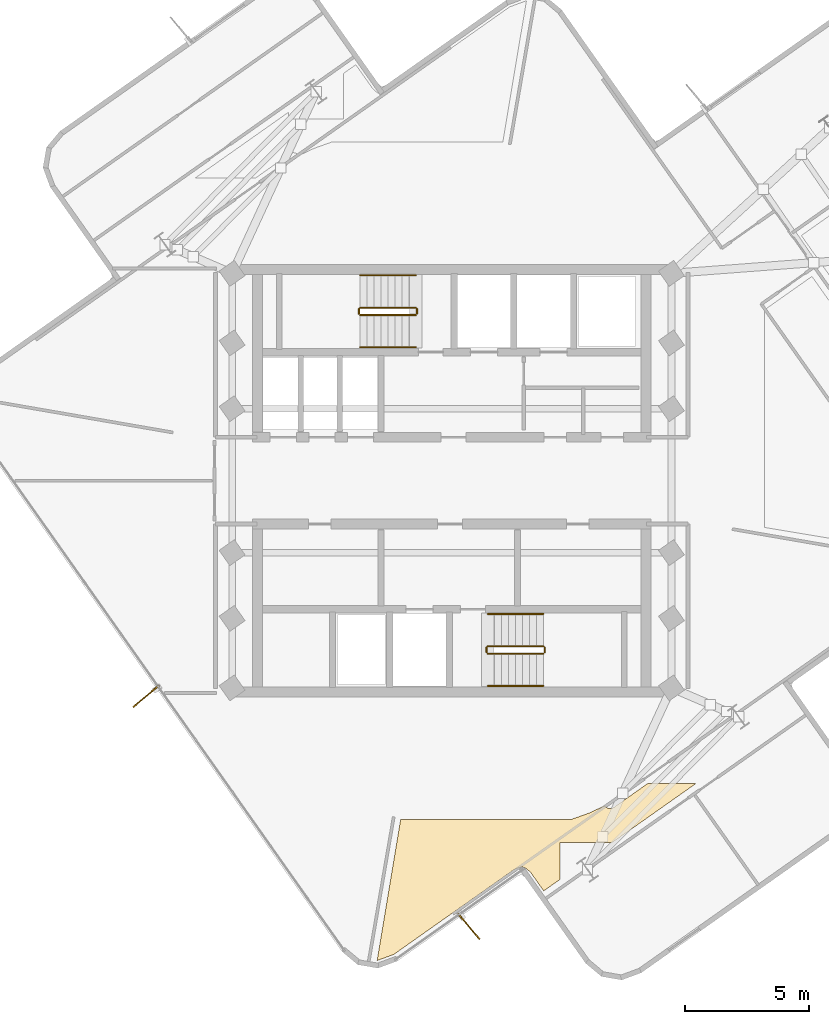
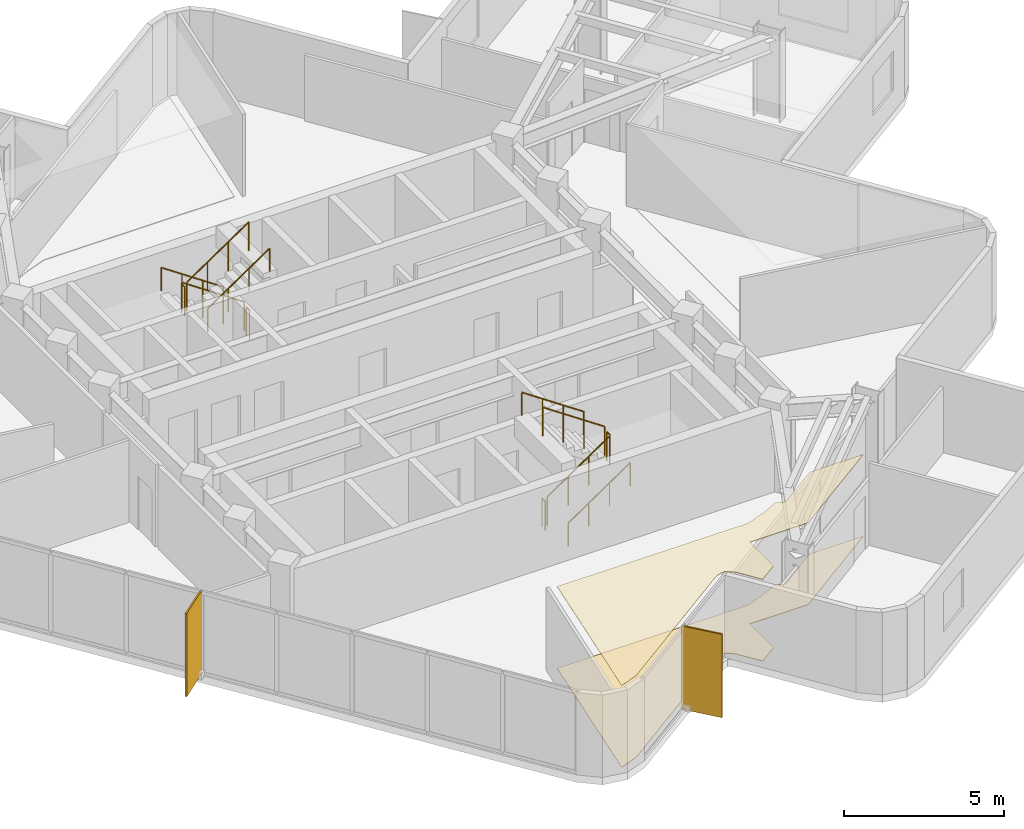
# One storey, part 8 of 9: 12 railings, 2 coverings, 2 shading devices.
"""IFC4 building model written with IfcOpenShell, lengths in metres."""

from ifc_helpers import new_model, si_unit, direction, frame, origin, origin_2d, place, context, subcontext, project, spatial, polyline, rectangle, circle, outline, extrude, material, layer, layer_set, type_object, element, save


model = new_model("IFC4")

# Units and contexts
model_context = context("Model", 3, precision=1e-05, world=origin(), true_north=direction((0.0, 1.0)))
body_context = subcontext(model_context, "Body", "Model", "MODEL_VIEW")
ifc_project = project(units=[si_unit("LENGTHUNIT", "METRE"), si_unit("AREAUNIT", "SQUARE_METRE"), si_unit("VOLUMEUNIT", "CUBIC_METRE"), si_unit("PLANEANGLEUNIT", "RADIAN"), si_unit("MASSUNIT", "GRAM", prefix="KILO")], contexts=[model_context])

# Site, building, storey
site_placement = place(None, origin())
site = spatial("IfcSite", under=ifc_project, at=site_placement, CompositionType="ELEMENT")
building_placement = place(site_placement, origin())
building = spatial("IfcBuilding", under=site, at=building_placement, Name="Solmarez Civic Tower", CompositionType="ELEMENT")
storey_placement = place(building_placement, frame((0.0, 0.0, 222.300048828125)))
storey = spatial("IfcBuildingStorey", under=building, at=storey_placement, Name="L59", CompositionType="ELEMENT", Elevation=222.300048828125)

# Coverings
ifc_material_1 = material(Name="Perforated Mineral-Fibre Acoustic Ceiling")
ifc_layer_1 = layer(ifc_material_1, 0.02490234375)
ifc_layer_set_1 = layer_set([ifc_layer_1], Name="Perforated Mineral-Fibre Acoustic Ceiling")
covering_type_1 = type_object("IfcCoveringType", Name="COV-CEIL-ACOUSTIC", PredefinedType="CEILING", material=ifc_layer_set_1)
covering_1_placement = place(storey_placement, frame((0.0, 0.0, 3.114990234375)))
element("IfcCovering", 1, at=covering_1_placement, inside=storey, type_object=covering_type_1, Name="L59 Suspended Acoustic Ceiling 2", PredefinedType="CEILING", context=body_context, shape_type="SweptSolid", body=[
    extrude(outline(polyline([(2.56005859375, -15.64794921875), (2.715087890625, -15.590087890625), (2.73193359375, -15.583984375), (2.739013671875, -15.58203125), (2.74609375, -15.5810546875), (2.75390625, -15.5791015625), (2.77587890625, -15.573974609375), (2.782958984375, -15.572998046875), (2.81396484375, -15.571044921875), (2.822021484375, -15.571044921875), (2.84912109375, -15.572998046875), (2.861083984375, -15.573974609375), (2.867919921875, -15.574951171875), (2.89697265625, -15.5810546875), (2.904052734375, -15.5830078125), (2.9208984375, -15.589111328125), (2.928955078125, -15.592041015625), (2.949951171875, -15.60107421875), (2.9560546875, -15.60400390625), (2.967041015625, -15.610107421875), (2.97412109375, -15.614013671875), (2.989990234375, -15.6240234375), (3.006103515625, -15.635986328125), (3.011962890625, -15.64111328125), (3.14404296875, -15.7509765625), (3.158935546875, -15.763916015625), (3.1640625, -15.76904296875), (3.1689453125, -15.77392578125), (3.18505859375, -15.79296875), (3.18896484375, -15.798095703125), (3.197021484375, -15.80810546875), (3.7041015625, -16.527099609375), (4.367919921875, -16.05908203125), (4.367919921875, -14.571044921875), (6.47705078125, -14.571044921875), (9.837890625, -12.199951171875), (7.89404296875, -12.199951171875), (6.528076171875, -13.1640625), (6.510009765625, -13.175048828125), (6.489990234375, -13.18505859375), (6.48095703125, -13.18896484375), (6.47412109375, -13.19189453125), (6.468994140625, -13.194091796875), (6.448974609375, -13.200927734375), (6.428955078125, -13.2060546875), (6.408935546875, -13.208984375), (6.39892578125, -13.2099609375), (6.3759765625, -13.2109375), (6.35302734375, -13.2099609375), (6.343994140625, -13.208984375), (6.324951171875, -13.2060546875), (6.320068359375, -13.205078125), (6.29296875, -13.197998046875), (6.283935546875, -13.195068359375), (6.261962890625, -13.18603515625), (6.240966796875, -13.175048828125), (6.236083984375, -13.172119140625), (6.219970703125, -13.160888671875), (6.2060546875, -13.14990234375), (6.198974609375, -13.14404296875), (6.18603515625, -13.133056640625), (6.178955078125, -13.1259765625), (6.1669921875, -13.112060546875), (6.156005859375, -13.097900390625), (5.552978515625, -13.384033203125), (5.532958984375, -13.39208984375), (4.85107421875, -13.635986328125), (4.844970703125, -13.637939453125), (4.818115234375, -13.64501953125), (4.81298828125, -13.64599609375), (4.7919921875, -13.64892578125), (4.77001953125, -13.64990234375), (-2.05810546875, -13.64990234375), (-3.007080078125, -19.330078125), (-3.0, -19.3310546875), (-2.3349609375, -19.0869140625), (2.485107421875, -15.68505859375), (2.489990234375, -15.681884765625), (2.49609375, -15.677978515625), (2.52001953125, -15.6640625), (2.52587890625, -15.660888671875), (2.5439453125, -15.653076171875), (2.56005859375, -15.64794921875)])), origin(), (0.0, 0.0, 1.0), 0.02490234375),
])
ifc_material_2 = material(Name="Polished Tropical Stone Terrazzo Flooring", Category="masonry")
ifc_layer_2 = layer(ifc_material_2, 0.02001953125)
ifc_layer_set_2 = layer_set([ifc_layer_2], Name="Polished Tropical Stone Terrazzo Flooring")
covering_type_2 = type_object("IfcCoveringType", Name="COV-FLOOR-TERRAZZO", PredefinedType="FLOORING", material=ifc_layer_set_2)
covering_2_placement = place(storey_placement, origin())
element("IfcCovering", 2, at=covering_2_placement, inside=storey, type_object=covering_type_2, Name="L59 Terrazzo Floor Finish 2", PredefinedType="FLOORING", context=body_context, shape_type="SweptSolid", body=[
    extrude(outline(polyline([(2.56005859375, -15.64794921875), (2.715087890625, -15.590087890625), (2.73193359375, -15.583984375), (2.739013671875, -15.58203125), (2.74609375, -15.5810546875), (2.75390625, -15.5791015625), (2.77587890625, -15.573974609375), (2.782958984375, -15.572998046875), (2.81396484375, -15.571044921875), (2.822021484375, -15.571044921875), (2.84912109375, -15.572998046875), (2.861083984375, -15.573974609375), (2.867919921875, -15.574951171875), (2.89697265625, -15.5810546875), (2.904052734375, -15.5830078125), (2.9208984375, -15.589111328125), (2.928955078125, -15.592041015625), (2.949951171875, -15.60107421875), (2.9560546875, -15.60400390625), (2.967041015625, -15.610107421875), (2.97412109375, -15.614013671875), (2.989990234375, -15.6240234375), (3.006103515625, -15.635986328125), (3.011962890625, -15.64111328125), (3.14404296875, -15.7509765625), (3.158935546875, -15.763916015625), (3.1640625, -15.76904296875), (3.1689453125, -15.77392578125), (3.18505859375, -15.79296875), (3.18896484375, -15.798095703125), (3.197021484375, -15.80810546875), (3.7041015625, -16.527099609375), (4.367919921875, -16.05908203125), (4.367919921875, -14.571044921875), (6.47705078125, -14.571044921875), (9.837890625, -12.199951171875), (7.89404296875, -12.199951171875), (6.528076171875, -13.1640625), (6.510009765625, -13.175048828125), (6.489990234375, -13.18505859375), (6.48095703125, -13.18896484375), (6.47412109375, -13.19189453125), (6.468994140625, -13.194091796875), (6.448974609375, -13.200927734375), (6.428955078125, -13.2060546875), (6.408935546875, -13.208984375), (6.39892578125, -13.2099609375), (6.3759765625, -13.2109375), (6.35302734375, -13.2099609375), (6.343994140625, -13.208984375), (6.324951171875, -13.2060546875), (6.320068359375, -13.205078125), (6.29296875, -13.197998046875), (6.283935546875, -13.195068359375), (6.261962890625, -13.18603515625), (6.240966796875, -13.175048828125), (6.236083984375, -13.172119140625), (6.219970703125, -13.160888671875), (6.2060546875, -13.14990234375), (6.198974609375, -13.14404296875), (6.18603515625, -13.133056640625), (6.178955078125, -13.1259765625), (6.1669921875, -13.112060546875), (6.156005859375, -13.097900390625), (5.552978515625, -13.384033203125), (5.532958984375, -13.39208984375), (4.85107421875, -13.635986328125), (4.844970703125, -13.637939453125), (4.818115234375, -13.64501953125), (4.81298828125, -13.64599609375), (4.7919921875, -13.64892578125), (4.77001953125, -13.64990234375), (-2.05810546875, -13.64990234375), (-3.007080078125, -19.330078125), (-3.0, -19.3310546875), (-2.3349609375, -19.0869140625), (2.485107421875, -15.68505859375), (2.489990234375, -15.681884765625), (2.49609375, -15.677978515625), (2.52001953125, -15.6640625), (2.52587890625, -15.660888671875), (2.5439453125, -15.653076171875), (2.56005859375, -15.64794921875)])), origin(), (0.0, 0.0, 1.0), 0.02001953125),
])

# Shading devices
ifc_material_3 = material(Name="Bronze Anodised Aluminium EN AW-6063 T6", Category="aluminium")
ifc_layer_3 = layer(ifc_material_3, 0.054931640625)
ifc_layer_set_3 = layer_set([ifc_layer_3], Name="Bronze Anodised Aluminium EN AW-6063 T6")
shading_device_type = type_object("IfcShadingDeviceType", Name="FIN-BRONZE-Z56", PredefinedType="USERDEFINED", material=ifc_layer_set_3)
for number, where, z_axis, x_axis, name in (
    (3, (0.68896484375, -17.9619140625, -0.0400390625), (0.0, 0.0, 1.0), (0.63918400922, -0.769053835799, 0.0), "L59 Anodised Bronze Solar Fin FIN-L59-01"),
    (4, (-12.319091796875, -8.68994140625, -0.0400390625), (0.0, 0.0, 1.0), (-0.76916538274, -0.63904977427, 0.0), "L59 Anodised Bronze Solar Fin FIN-L59-02"),
):
    element("IfcShadingDevice", number, at=place(storey_placement, frame(where, z_axis=z_axis, x_axis=x_axis)), inside=storey, type_object=shading_device_type, Name=name, ObjectType="FIN", PredefinedType="USERDEFINED", context=body_context, shape_type="SweptSolid", body=[
        extrude(rectangle(XDim=1.35009765625, YDim=0.054931640625, at=origin_2d()), origin(), (0.0, 0.0, 1.0), 3.179931640625),
    ])

# Railings
ifc_material_4 = material(Name="Painted Steel Stairwell Safety Guard", Category="steel")
railing_type_1 = type_object("IfcRailingType", Name="GUARD-STAIR-1120", PredefinedType="BALUSTRADE", material=ifc_material_4)
railing_1_placement = place(storey_placement, frame((-1.449951171875, 6.969970703125, 0.18994140625)))
element("IfcRailing", 5, at=railing_1_placement, inside=storey, type_object=railing_type_1, Name="L59 ST-1 stair guard 1", PredefinedType="BALUSTRADE", context=body_context, shape_type="SweptSolid", body=[
    extrude(circle(Radius=0.02392578125, at=origin_2d()), frame((0.0, 0.0, 1.09619140625), z_axis=(-0.827471284677, 0.0, 0.561508034703), x_axis=(0.0, -1.0, 0.0)), (0.0, 0.0, 1.0), 2.70703125),
    extrude(circle(Radius=0.02099609375, at=origin_2d()), origin(), (0.0, 0.0, 1.0), 1.072021484375),
    extrude(circle(Radius=0.02099609375, at=origin_2d()), frame((-0.74658203125, 0.0, 0.506591796875)), (0.0, 0.0, 1.0), 1.072021484375),
    extrude(circle(Radius=0.02099609375, at=origin_2d()), frame((-1.493408203125, 0.0, 1.013427734375)), (0.0, 0.0, 1.0), 1.072021484375),
    extrude(circle(Radius=0.02099609375, at=origin_2d()), frame((-2.239990234375, 0.0, 1.52001953125)), (0.0, 0.0, 1.0), 1.072021484375),
])
railing_2_placement = place(storey_placement, frame((-3.739990234375, 6.919921875, 1.7099609375)))
element("IfcRailing", 6, at=railing_2_placement, inside=storey, type_object=railing_type_1, Name="L59 ST-1 stair guard 2", PredefinedType="BALUSTRADE", context=body_context, shape_type="SweptSolid", body=[
    extrude(circle(Radius=0.02392578125, at=origin_2d()), frame((0.0, 0.0, 1.09619140625), z_axis=(0.0, -1.0, 0.0), x_axis=(1.0, 0.0, 0.0)), (0.0, 0.0, 1.0), 0.199951171875),
    extrude(circle(Radius=0.02099609375, at=origin_2d()), origin(), (0.0, 0.0, 1.0), 1.072021484375),
    extrude(circle(Radius=0.02099609375, at=origin_2d()), frame((0.0, -0.199951171875, 0.0)), (0.0, 0.0, 1.0), 1.072021484375),
])
railing_3_placement = place(storey_placement, frame((-3.68994140625, 6.669921875, 1.89990234375)))
element("IfcRailing", 7, at=railing_3_placement, inside=storey, type_object=railing_type_1, Name="L59 ST-1 stair guard 3", PredefinedType="BALUSTRADE", context=body_context, shape_type="SweptSolid", body=[
    extrude(circle(Radius=0.02392578125, at=origin_2d()), frame((0.0, 0.0, 1.09619140625), z_axis=(0.827471284677, 0.0, 0.561508034703), x_axis=(0.0, 1.0, 0.0)), (0.0, 0.0, 1.0), 2.70703125),
    extrude(circle(Radius=0.02099609375, at=origin_2d()), origin(), (0.0, 0.0, 1.0), 1.072021484375),
    extrude(circle(Radius=0.02099609375, at=origin_2d()), frame((0.74658203125, 0.0, 0.506591796875)), (0.0, 0.0, 1.0), 1.072021484375),
    extrude(circle(Radius=0.02099609375, at=origin_2d()), frame((1.493408203125, 0.0, 1.013427734375)), (0.0, 0.0, 1.0), 1.072021484375),
    extrude(circle(Radius=0.02099609375, at=origin_2d()), frame((2.239990234375, 0.0, 1.52001953125)), (0.0, 0.0, 1.0), 1.072021484375),
])
railing_4_placement = place(storey_placement, frame((-1.39990234375, 6.919921875, 0.0)))
element("IfcRailing", 8, at=railing_4_placement, inside=storey, type_object=railing_type_1, Name="L59 ST-1 stair guard 4", PredefinedType="BALUSTRADE", context=body_context, shape_type="SweptSolid", body=[
    extrude(circle(Radius=0.02392578125, at=origin_2d()), frame((0.0, 0.0, 1.09619140625), z_axis=(0.0, -1.0, 0.0), x_axis=(1.0, 0.0, 0.0)), (0.0, 0.0, 1.0), 0.199951171875),
    extrude(circle(Radius=0.02099609375, at=origin_2d()), origin(), (0.0, 0.0, 1.0), 1.072021484375),
    extrude(circle(Radius=0.02099609375, at=origin_2d()), frame((0.0, -0.199951171875, 0.0)), (0.0, 0.0, 1.0), 1.072021484375),
])
railing_5_placement = place(storey_placement, frame((1.449951171875, -6.969970703125, 0.18994140625)))
element("IfcRailing", 9, at=railing_5_placement, inside=storey, type_object=railing_type_1, Name="L59 ST-2 stair guard 1", PredefinedType="BALUSTRADE", context=body_context, shape_type="SweptSolid", body=[
    extrude(circle(Radius=0.02392578125, at=origin_2d()), frame((0.0, 0.0, 1.09619140625), z_axis=(0.827471284677, 0.0, 0.561508034703), x_axis=(0.0, 1.0, 0.0)), (0.0, 0.0, 1.0), 2.70703125),
    extrude(circle(Radius=0.02099609375, at=origin_2d()), origin(), (0.0, 0.0, 1.0), 1.072021484375),
    extrude(circle(Radius=0.02099609375, at=origin_2d()), frame((0.74658203125, 0.0, 0.506591796875)), (0.0, 0.0, 1.0), 1.072021484375),
    extrude(circle(Radius=0.02099609375, at=origin_2d()), frame((1.493408203125, 0.0, 1.013427734375)), (0.0, 0.0, 1.0), 1.072021484375),
    extrude(circle(Radius=0.02099609375, at=origin_2d()), frame((2.239990234375, 0.0, 1.52001953125)), (0.0, 0.0, 1.0), 1.072021484375),
])
railing_6_placement = place(storey_placement, frame((3.739990234375, -6.919921875, 1.7099609375)))
element("IfcRailing", 10, at=railing_6_placement, inside=storey, type_object=railing_type_1, Name="L59 ST-2 stair guard 2", PredefinedType="BALUSTRADE", context=body_context, shape_type="SweptSolid", body=[
    extrude(circle(Radius=0.02392578125, at=origin_2d()), frame((0.0, 0.0, 1.09619140625), z_axis=(0.0, 1.0, 0.0), x_axis=(-1.0, 0.0, 0.0)), (0.0, 0.0, 1.0), 0.199951171875),
    extrude(circle(Radius=0.02099609375, at=origin_2d()), origin(), (0.0, 0.0, 1.0), 1.072021484375),
    extrude(circle(Radius=0.02099609375, at=origin_2d()), frame((0.0, 0.199951171875, 0.0)), (0.0, 0.0, 1.0), 1.072021484375),
])
railing_7_placement = place(storey_placement, frame((3.68994140625, -6.669921875, 1.89990234375)))
element("IfcRailing", 11, at=railing_7_placement, inside=storey, type_object=railing_type_1, Name="L59 ST-2 stair guard 3", PredefinedType="BALUSTRADE", context=body_context, shape_type="SweptSolid", body=[
    extrude(circle(Radius=0.02392578125, at=origin_2d()), frame((0.0, 0.0, 1.09619140625), z_axis=(-0.827471284677, 0.0, 0.561508034703), x_axis=(0.0, -1.0, 0.0)), (0.0, 0.0, 1.0), 2.70703125),
    extrude(circle(Radius=0.02099609375, at=origin_2d()), origin(), (0.0, 0.0, 1.0), 1.072021484375),
    extrude(circle(Radius=0.02099609375, at=origin_2d()), frame((-0.74658203125, 0.0, 0.506591796875)), (0.0, 0.0, 1.0), 1.072021484375),
    extrude(circle(Radius=0.02099609375, at=origin_2d()), frame((-1.493408203125, 0.0, 1.013427734375)), (0.0, 0.0, 1.0), 1.072021484375),
    extrude(circle(Radius=0.02099609375, at=origin_2d()), frame((-2.239990234375, 0.0, 1.52001953125)), (0.0, 0.0, 1.0), 1.072021484375),
])
railing_8_placement = place(storey_placement, frame((1.39990234375, -6.919921875, 0.0)))
element("IfcRailing", 12, at=railing_8_placement, inside=storey, type_object=railing_type_1, Name="L59 ST-2 stair guard 4", PredefinedType="BALUSTRADE", context=body_context, shape_type="SweptSolid", body=[
    extrude(circle(Radius=0.02392578125, at=origin_2d()), frame((0.0, 0.0, 1.09619140625), z_axis=(0.0, 1.0, 0.0), x_axis=(-1.0, 0.0, 0.0)), (0.0, 0.0, 1.0), 0.199951171875),
    extrude(circle(Radius=0.02099609375, at=origin_2d()), origin(), (0.0, 0.0, 1.0), 1.072021484375),
    extrude(circle(Radius=0.02099609375, at=origin_2d()), frame((0.0, 0.199951171875, 0.0)), (0.0, 0.0, 1.0), 1.072021484375),
])
ifc_material_5 = material(Name="Brushed Stainless Steel Tube Handrail", Category="steel")
railing_type_2 = type_object("IfcRailingType", Name="HANDRAIL-STAIR-900", PredefinedType="HANDRAIL", material=ifc_material_5)
railing_9_placement = place(storey_placement, frame((-1.449951171875, 8.27001953125, 0.18994140625)))
element("IfcRailing", 13, at=railing_9_placement, inside=storey, type_object=railing_type_2, Name="L59 ST-1 stair handrail 1", PredefinedType="HANDRAIL", context=body_context, shape_type="SweptSolid", body=[
    extrude(circle(Radius=0.02392578125, at=origin_2d()), frame((0.0, 0.0, 0.8759765625), z_axis=(-0.827471284677, 0.0, 0.561508034703), x_axis=(0.0, -1.0, 0.0)), (0.0, 0.0, 1.0), 2.70703125),
    extrude(circle(Radius=0.02099609375, at=origin_2d()), origin(), (0.0, 0.0, 1.0), 0.851806640625),
    extrude(circle(Radius=0.02099609375, at=origin_2d()), frame((-0.74658203125, 0.0, 0.506591796875)), (0.0, 0.0, 1.0), 0.851806640625),
    extrude(circle(Radius=0.02099609375, at=origin_2d()), frame((-1.493408203125, 0.0, 1.013427734375)), (0.0, 0.0, 1.0), 0.851806640625),
    extrude(circle(Radius=0.02099609375, at=origin_2d()), frame((-2.239990234375, 0.0, 1.52001953125)), (0.0, 0.0, 1.0), 0.851806640625),
])
for number, where, name in (
    (14, (-3.68994140625, 5.3701171875, 1.89990234375), "L59 ST-1 stair handrail 2"),
    (15, (1.449951171875, -8.27001953125, 0.18994140625), "L59 ST-2 stair handrail 1"),
):
    element("IfcRailing", number, at=place(storey_placement, frame(where)), inside=storey, type_object=railing_type_2, Name=name, PredefinedType="HANDRAIL", context=body_context, shape_type="SweptSolid", body=[
        extrude(circle(Radius=0.02392578125, at=origin_2d()), frame((0.0, 0.0, 0.8759765625), z_axis=(0.827471284677, 0.0, 0.561508034703), x_axis=(0.0, 1.0, 0.0)), (0.0, 0.0, 1.0), 2.70703125),
        extrude(circle(Radius=0.02099609375, at=origin_2d()), origin(), (0.0, 0.0, 1.0), 0.851806640625),
        extrude(circle(Radius=0.02099609375, at=origin_2d()), frame((0.74658203125, 0.0, 0.506591796875)), (0.0, 0.0, 1.0), 0.851806640625),
        extrude(circle(Radius=0.02099609375, at=origin_2d()), frame((1.493408203125, 0.0, 1.013427734375)), (0.0, 0.0, 1.0), 0.851806640625),
        extrude(circle(Radius=0.02099609375, at=origin_2d()), frame((2.239990234375, 0.0, 1.52001953125)), (0.0, 0.0, 1.0), 0.851806640625),
    ])
railing_10_placement = place(storey_placement, frame((3.68994140625, -5.3701171875, 1.89990234375)))
element("IfcRailing", 16, at=railing_10_placement, inside=storey, type_object=railing_type_2, Name="L59 ST-2 stair handrail 2", PredefinedType="HANDRAIL", context=body_context, shape_type="SweptSolid", body=[
    extrude(circle(Radius=0.02392578125, at=origin_2d()), frame((0.0, 0.0, 0.8759765625), z_axis=(-0.827471284677, 0.0, 0.561508034703), x_axis=(0.0, -1.0, 0.0)), (0.0, 0.0, 1.0), 2.70703125),
    extrude(circle(Radius=0.02099609375, at=origin_2d()), origin(), (0.0, 0.0, 1.0), 0.851806640625),
    extrude(circle(Radius=0.02099609375, at=origin_2d()), frame((-0.74658203125, 0.0, 0.506591796875)), (0.0, 0.0, 1.0), 0.851806640625),
    extrude(circle(Radius=0.02099609375, at=origin_2d()), frame((-1.493408203125, 0.0, 1.013427734375)), (0.0, 0.0, 1.0), 0.851806640625),
    extrude(circle(Radius=0.02099609375, at=origin_2d()), frame((-2.239990234375, 0.0, 1.52001953125)), (0.0, 0.0, 1.0), 0.851806640625),
])

save(model, "model.ifc")
